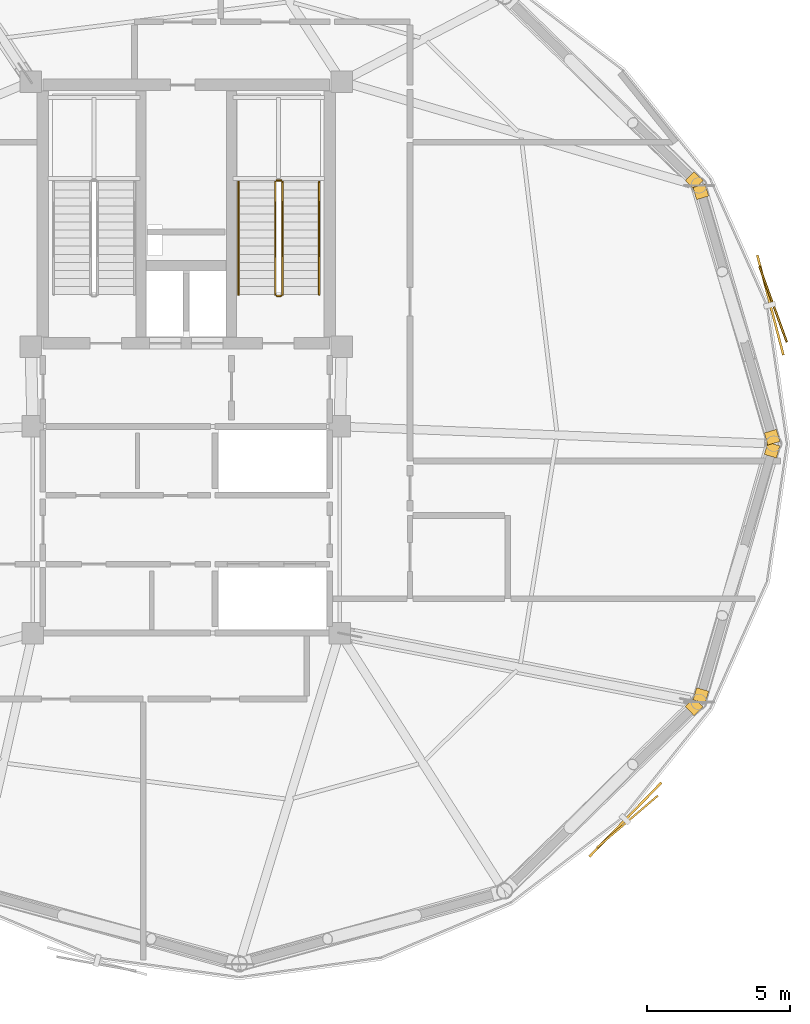
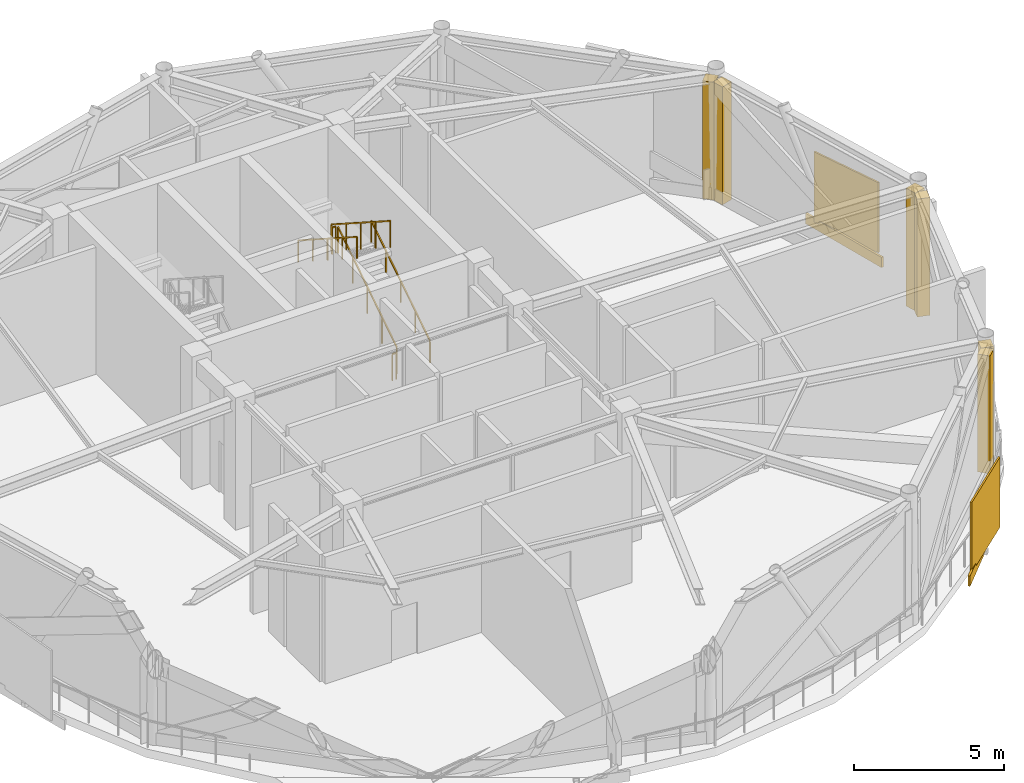
# One storey, part 9 of 10: 8 coverings, 6 railings, 2 shading devices.
"""IFC4 building model written with IfcOpenShell, lengths in metres."""

from ifc_helpers import new_model, si_unit, direction, frame, origin, origin_2d, place, context, subcontext, project, spatial, rectangle, extrude, source, transform, mapped, material, layer, layer_set, type_object, type_shapes, element, save


model = new_model("IFC4")

# Units and contexts
model_context = context("Model", 3, precision=1e-05, world=origin(), true_north=direction((0.0, 1.0)))
body_context = subcontext(model_context, "Body", "Model", "MODEL_VIEW")
ifc_project = project(units=[si_unit("LENGTHUNIT", "METRE"), si_unit("AREAUNIT", "SQUARE_METRE"), si_unit("VOLUMEUNIT", "CUBIC_METRE"), si_unit("PLANEANGLEUNIT", "RADIAN"), si_unit("MASSUNIT", "GRAM", prefix="KILO")], contexts=[model_context])

# Site, building, storey
site_placement = place(None, origin())
site = spatial("IfcSite", under=ifc_project, at=site_placement, CompositionType="ELEMENT")
building_placement = place(site_placement, origin())
building = spatial("IfcBuilding", under=site, at=building_placement, Name="Varnakorn Sky Granary", CompositionType="ELEMENT")
storey_placement = place(building_placement, frame((0.0, 0.0, 240.0)))
storey = spatial("IfcBuildingStorey", under=building, at=storey_placement, Name="L61", CompositionType="ELEMENT", Elevation=240.0)

# Railings
ifc_material_1 = material(Name="Brushed Stainless Steel 316", Category="steel")
railing_type_1 = type_object("IfcRailingType", Name="RL-STAIR-1100", PredefinedType="GUARDRAIL", material=ifc_material_1)
railing_1_placement = place(storey_placement, frame((6.35009765625, 5.199951171875, 0.179931640625)))
element("IfcRailing", 1, at=railing_1_placement, inside=storey, type_object=railing_type_1, Name="L61 ST-2 stair guard 1", PredefinedType="GUARDRAIL", context=body_context, shape_type="SweptSolid", body=[
    extrude(rectangle(XDim=0.048095703125, YDim=0.048095703125, at=origin_2d()), frame((0.0, 0.0, 1.076171875), z_axis=(0.0, 0.841186985886, 0.540744352514), x_axis=(-1.0, 0.0, 0.0)), (0.0, 0.0, 1.0), 4.660400390625),
    extrude(rectangle(XDim=0.0419921875, YDim=0.0419921875, at=origin_2d()), origin(), (0.0, 0.0, 1.0), 1.048095703125),
    extrude(rectangle(XDim=0.0419921875, YDim=0.0419921875, at=origin_2d()), frame((0.0, 0.97998046875, 0.6298828125)), (0.0, 0.0, 1.0), 1.048095703125),
    extrude(rectangle(XDim=0.0419921875, YDim=0.0419921875, at=origin_2d()), frame((0.0, 1.9599609375, 1.260009765625)), (0.0, 0.0, 1.0), 1.048095703125),
    extrude(rectangle(XDim=0.0419921875, YDim=0.0419921875, at=origin_2d()), frame((0.0, 2.940185546875, 1.89013671875)), (0.0, 0.0, 1.0), 1.048095703125),
    extrude(rectangle(XDim=0.0419921875, YDim=0.0419921875, at=origin_2d()), frame((0.0, 3.920166015625, 2.52001953125)), (0.0, 0.0, 1.0), 1.048095703125),
])
railing_2_placement = place(storey_placement, frame((6.300048828125, 9.169921875, 2.699951171875)))
element("IfcRailing", 2, at=railing_2_placement, inside=storey, type_object=railing_type_1, Name="L61 ST-2 stair guard 2", PredefinedType="GUARDRAIL", context=body_context, shape_type="SweptSolid", body=[
    extrude(rectangle(XDim=0.048095703125, YDim=0.048095703125, at=origin_2d()), frame((0.0, 0.0, 1.076171875), z_axis=(-1.0, 0.0, 0.0), x_axis=(0.0, -1.0, 0.0)), (0.0, 0.0, 1.0), 0.150146484375),
    extrude(rectangle(XDim=0.0419921875, YDim=0.0419921875, at=origin_2d()), origin(), (0.0, 0.0, 1.0), 1.048095703125),
    extrude(rectangle(XDim=0.0419921875, YDim=0.0419921875, at=origin_2d()), frame((-0.150146484375, 0.0, 0.0)), (0.0, 0.0, 1.0), 1.048095703125),
])
railing_3_placement = place(storey_placement, frame((6.10009765625, 9.1201171875, 2.8798828125)))
element("IfcRailing", 3, at=railing_3_placement, inside=storey, type_object=railing_type_1, Name="L61 ST-2 stair guard 3", PredefinedType="GUARDRAIL", context=body_context, shape_type="SweptSolid", body=[
    extrude(rectangle(XDim=0.048095703125, YDim=0.048095703125, at=origin_2d()), frame((0.0, 0.0, 1.076171875), z_axis=(0.0, -0.841186985886, 0.540744352514), x_axis=(1.0, 0.0, 0.0)), (0.0, 0.0, 1.0), 4.660400390625),
    extrude(rectangle(XDim=0.0419921875, YDim=0.0419921875, at=origin_2d()), origin(), (0.0, 0.0, 1.0), 1.048095703125),
    extrude(rectangle(XDim=0.0419921875, YDim=0.0419921875, at=origin_2d()), frame((0.0, -0.97998046875, 0.6298828125)), (0.0, 0.0, 1.0), 1.048095703125),
    extrude(rectangle(XDim=0.0419921875, YDim=0.0419921875, at=origin_2d()), frame((0.0, -1.9599609375, 1.260009765625)), (0.0, 0.0, 1.0), 1.048095703125),
    extrude(rectangle(XDim=0.0419921875, YDim=0.0419921875, at=origin_2d()), frame((0.0, -2.940185546875, 1.89013671875)), (0.0, 0.0, 1.0), 1.048095703125),
    extrude(rectangle(XDim=0.0419921875, YDim=0.0419921875, at=origin_2d()), frame((0.0, -3.920166015625, 2.52001953125)), (0.0, 0.0, 1.0), 1.048095703125),
])
railing_4_placement = place(storey_placement, frame((6.300048828125, 5.14990234375, 0.0)))
element("IfcRailing", 4, at=railing_4_placement, inside=storey, type_object=railing_type_1, Name="L61 ST-2 stair guard 4", PredefinedType="GUARDRAIL", context=body_context, shape_type="SweptSolid", body=[
    extrude(rectangle(XDim=0.048095703125, YDim=0.048095703125, at=origin_2d()), frame((0.0, 0.0, 1.076171875), z_axis=(-1.0, 0.0, 0.0), x_axis=(0.0, -1.0, 0.0)), (0.0, 0.0, 1.0), 0.150146484375),
    extrude(rectangle(XDim=0.0419921875, YDim=0.0419921875, at=origin_2d()), origin(), (0.0, 0.0, 1.0), 1.048095703125),
    extrude(rectangle(XDim=0.0419921875, YDim=0.0419921875, at=origin_2d()), frame((-0.150146484375, 0.0, 0.0)), (0.0, 0.0, 1.0), 1.048095703125),
])
railing_type_2 = type_object("IfcRailingType", Name="RL-STAIR-920", PredefinedType="HANDRAIL", material=ifc_material_1)
railing_5_placement = place(storey_placement, frame((7.6298828125, 5.199951171875, 0.179931640625)))
element("IfcRailing", 5, at=railing_5_placement, inside=storey, type_object=railing_type_2, Name="L61 ST-2 stair handrail 1", PredefinedType="HANDRAIL", context=body_context, shape_type="SweptSolid", body=[
    extrude(rectangle(XDim=0.048095703125, YDim=0.048095703125, at=origin_2d()), frame((0.0, 0.0, 0.8759765625), z_axis=(0.0, 0.841186985886, 0.540744352514), x_axis=(-1.0, 0.0, 0.0)), (0.0, 0.0, 1.0), 4.660400390625),
    extrude(rectangle(XDim=0.0419921875, YDim=0.0419921875, at=origin_2d()), origin(), (0.0, 0.0, 1.0), 0.847900390625),
    extrude(rectangle(XDim=0.0419921875, YDim=0.0419921875, at=origin_2d()), frame((0.0, 0.97998046875, 0.6298828125)), (0.0, 0.0, 1.0), 0.847900390625),
    extrude(rectangle(XDim=0.0419921875, YDim=0.0419921875, at=origin_2d()), frame((0.0, 1.9599609375, 1.260009765625)), (0.0, 0.0, 1.0), 0.847900390625),
    extrude(rectangle(XDim=0.0419921875, YDim=0.0419921875, at=origin_2d()), frame((0.0, 2.940185546875, 1.89013671875)), (0.0, 0.0, 1.0), 0.847900390625),
    extrude(rectangle(XDim=0.0419921875, YDim=0.0419921875, at=origin_2d()), frame((0.0, 3.920166015625, 2.52001953125)), (0.0, 0.0, 1.0), 0.847900390625),
])
railing_6_placement = place(storey_placement, frame((4.820068359375, 9.1201171875, 2.8798828125)))
element("IfcRailing", 6, at=railing_6_placement, inside=storey, type_object=railing_type_2, Name="L61 ST-2 stair handrail 2", PredefinedType="HANDRAIL", context=body_context, shape_type="SweptSolid", body=[
    extrude(rectangle(XDim=0.048095703125, YDim=0.048095703125, at=origin_2d()), frame((0.0, 0.0, 0.8759765625), z_axis=(0.0, -0.841186985886, 0.540744352514), x_axis=(1.0, 0.0, 0.0)), (0.0, 0.0, 1.0), 4.660400390625),
    extrude(rectangle(XDim=0.0419921875, YDim=0.0419921875, at=origin_2d()), origin(), (0.0, 0.0, 1.0), 0.847900390625),
    extrude(rectangle(XDim=0.0419921875, YDim=0.0419921875, at=origin_2d()), frame((0.0, -0.97998046875, 0.6298828125)), (0.0, 0.0, 1.0), 0.847900390625),
    extrude(rectangle(XDim=0.0419921875, YDim=0.0419921875, at=origin_2d()), frame((0.0, -1.9599609375, 1.260009765625)), (0.0, 0.0, 1.0), 0.847900390625),
    extrude(rectangle(XDim=0.0419921875, YDim=0.0419921875, at=origin_2d()), frame((0.0, -2.940185546875, 1.89013671875)), (0.0, 0.0, 1.0), 0.847900390625),
    extrude(rectangle(XDim=0.0419921875, YDim=0.0419921875, at=origin_2d()), frame((0.0, -3.920166015625, 2.52001953125)), (0.0, 0.0, 1.0), 0.847900390625),
])

# Coverings
ifc_material_2 = material(Name="Anodised Bronze Aluminium Alloy 6063-T6", Category="aluminium")
ifc_layer = layer(ifc_material_2, 0.050048828125, Name="Anodised Bronze Aluminium Alloy 6063-T6")
ifc_layer_set = layer_set([ifc_layer], Name="Anodised Bronze Aluminium Alloy 6063-T6")
covering_type = type_object("IfcCoveringType", Name="CV-CLAD-50", PredefinedType="CLADDING", material=ifc_layer_set)
shared_shape_1 = source(origin(), body_context, "Body", "SweptSolid", [
    extrude(rectangle(XDim=3.60009765625, YDim=0.080078125, at=origin_2d()), origin(), (0.0, 0.0, 1.0), 0.419921875),
])
for number, where, z_axis, x_axis, name in (
    (7, (23.353515625, 4.830078125, -0.330078125), (0.0, 0.0, 1.0), (-0.252567284053, 0.967579333712, 0.0), "Bronze Slab-Edge Spandrel Cladding L61-01"),
    (8, (18.30126953125, -13.101318359375, -0.330078125), (0.0, 0.0, 1.0), (0.697730689714, 0.716360164045, 0.0), "Bronze Slab-Edge Spandrel Cladding L61-11"),
):
    element("IfcCovering", number, at=place(storey_placement, frame(where, z_axis=z_axis, x_axis=x_axis)), inside=storey, type_object=covering_type, Name=name, PredefinedType="CLADDING", context=body_context, shape_type="MappedRepresentation", body=[
        mapped(shared_shape_1, transform((0.0, 0.0, 0.0), x_axis=(1.0, 0.0, 0.0), y_axis=(0.0, 1.0, 0.0), z_axis=(0.0, 0.0, 1.0), scale=1.0)),
    ])

# Shading devices
shading_device_type = type_object("IfcShadingDeviceType", Name="SH-SCR-03", PredefinedType="USERDEFINED", material=ifc_material_2)
shared_shape_2 = source(origin(), body_context, "Body", "SweptSolid", [
    extrude(rectangle(XDim=2.800048828125, YDim=0.06494140625, at=origin_2d()), origin(), (0.0, 0.0, 1.0), 2.85009765625),
])
type_shapes(shading_device_type, [shared_shape_2])
for number, where, z_axis, x_axis, name in (
    (9, (23.4501953125, 4.855224609375, -0.0400390625), (0.0, 0.0, 1.0), (-0.340042821224, 0.940409953017, 0.0), "Perforated Bronze Solar Screen Panel SCREEN L61-01"),
    (10, (18.372802734375, -13.171142578125, -0.0400390625), (0.0, 0.0, 1.0), (0.760351773494, 0.649511493775, 0.0), "Perforated Bronze Solar Screen Panel SCREEN L61-11"),
):
    element("IfcShadingDevice", number, at=place(storey_placement, frame(where, z_axis=z_axis, x_axis=x_axis)), inside=storey, type_object=shading_device_type, Name=name, ObjectType="SCREEN", PredefinedType="USERDEFINED", context=body_context, shape_type="MappedRepresentation", body=[
        mapped(shared_shape_2, transform((0.0, 0.0, 0.0), x_axis=(1.0, 0.0, 0.0), y_axis=(0.0, 1.0, 0.0), z_axis=(0.0, 0.0, 1.0), scale=1.0)),
    ])

# Coverings
shared_shape_3 = source(origin(), body_context, "Body", "SweptSolid", [
    extrude(rectangle(XDim=0.43994140625, YDim=0.43994140625, at=origin_2d()), origin(), (0.0, 0.0, 1.0), 4.7900390625),
])
type_shapes(covering_type, [shared_shape_1, shared_shape_3])
for number, where, z_axis, x_axis, name in (
    (11, (20.933349609375, 8.77734375, -0.02001953125), (0.0, 0.0, 1.0), (0.278823498925, -0.960342364184, 0.0), "Bronze Corner Pilaster Closure L61-P01-A"),
    (12, (23.41552734375, 0.22509765625, -0.02001953125), (0.0, 0.0, 1.0), (0.278823498925, -0.960342364184, 0.0), "Bronze Corner Pilaster Closure L61-P01-B"),
    (13, (20.699951171875, 9.166015625, -0.02001953125), (0.0, 0.0, 1.0), (0.7165454746, -0.697540380788, 0.0), "Bronze Corner Pilaster Closure L61-P02-B"),
    (14, (20.699951171875, -9.166015625, -0.02001953125), (0.0, 0.0, 1.0), (-0.7165454746, -0.697540380788, 0.0), "Bronze Corner Pilaster Closure L61-P11-A"),
    (15, (23.41552734375, -0.22509765625, -0.02001953125), (0.0, 0.0, 1.0), (-0.278823498925, -0.960342364184, 0.0), "Bronze Corner Pilaster Closure L61-P12-A"),
    (16, (20.933349609375, -8.77734375, -0.02001953125), (0.0, 0.0, 1.0), (-0.278823498925, -0.960342364184, 0.0), "Bronze Corner Pilaster Closure L61-P12-B"),
):
    element("IfcCovering", number, at=place(storey_placement, frame(where, z_axis=z_axis, x_axis=x_axis)), inside=storey, type_object=covering_type, Name=name, PredefinedType="CLADDING", context=body_context, shape_type="MappedRepresentation", body=[
        mapped(shared_shape_3, transform((0.0, 0.0, 0.0), x_axis=(1.0, 0.0, 0.0), y_axis=(0.0, 1.0, 0.0), z_axis=(0.0, 0.0, 1.0), scale=1.0)),
    ])

save(model, "model.ifc")
